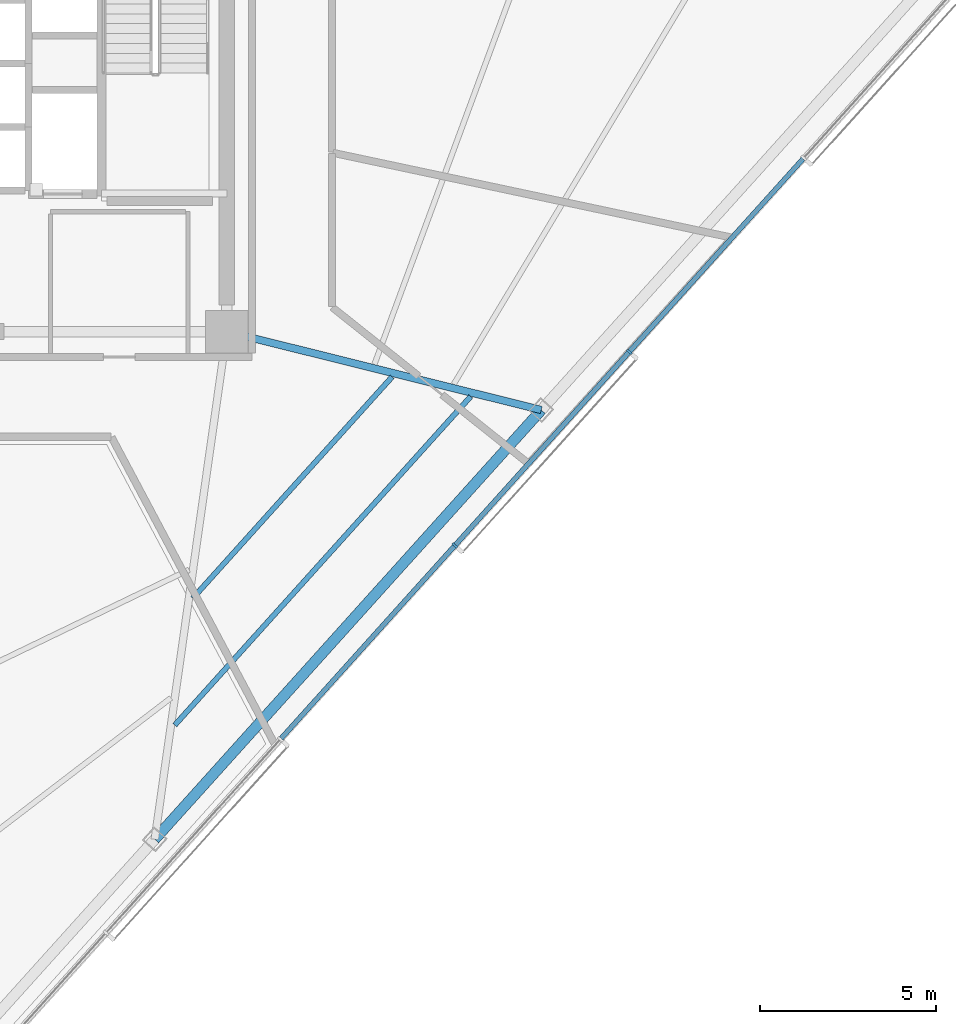
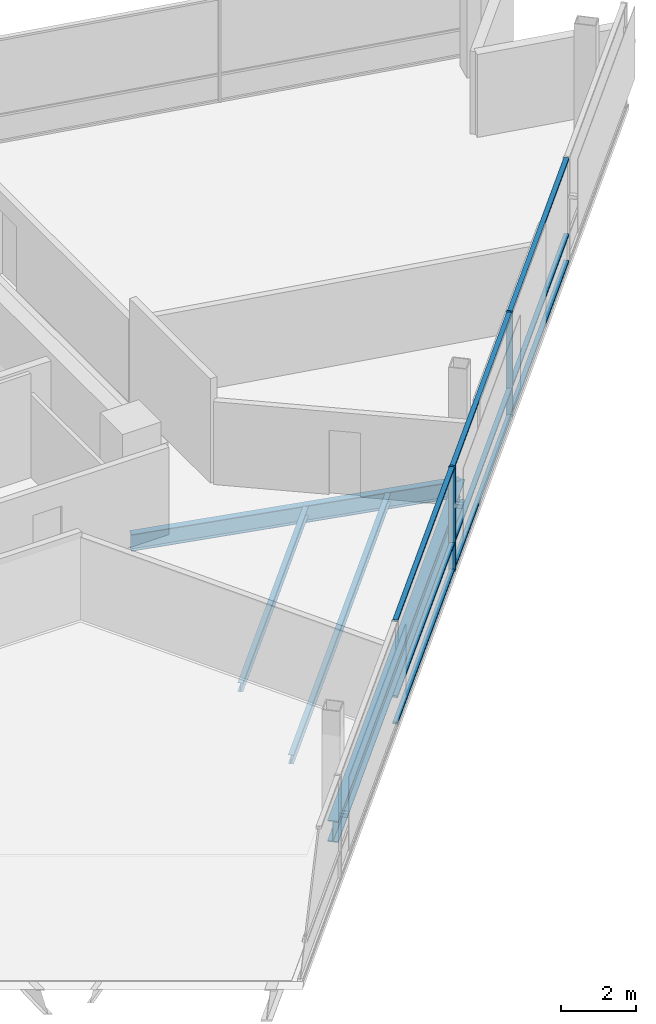
# One storey, part 4 of 17: 11 members, 4 beams, 1 element without a shape of its own.
"""IFC4 building model written with IfcOpenShell, lengths in metres."""

import ifcopenshell
import ifcopenshell.guid

model = None  # the IFC model being written
_history = None  # IfcOwnerHistory: only IFC2X3 demands one
_inside = {}  # id of a spatial element -> (the spatial element, [elements in it])
_under = {}  # id of a project, library or spatial element -> (it, [spatial elements below it])
_declared = {}  # id of a project -> (the project, [libraries it declares])
_typed = {}  # id of a type object -> (the type object, [elements of that type])
_made_of = {}  # id of a material, layer set ... -> (it, [elements and type objects made of it])


def new_model(schema):
    """Start an empty IFC model of exactly this schema.

    Asked for "IFC4X3", IfcOpenShell would pick the latest addendum, in which some entities
    have other attributes; the version numbers below select the first issue.
    IFC2X3 requires an IfcOwnerHistory on every rooted entity: one is made here for all.
    """
    global model, _history
    if schema == "IFC4X3":
        model = ifcopenshell.file(schema_version=(4, 3, 0, 0))
    else:
        model = ifcopenshell.file(schema=schema)
    _inside.clear()
    _under.clear()
    _declared.clear()
    _typed.clear()
    _made_of.clear()
    _history = None
    if model.schema == "IFC2X3":
        org = make("IfcOrganization", Name="unknown")
        user = make(
            "IfcPersonAndOrganization",
            ThePerson=make("IfcPerson", FamilyName="unknown"),
            TheOrganization=org,
        )
        app = make(
            "IfcApplication",
            ApplicationDeveloper=org,
            Version="unknown",
            ApplicationFullName="unknown",
            ApplicationIdentifier="unknown",
        )
        _history = make(
            "IfcOwnerHistory",
            OwningUser=user,
            OwningApplication=app,
            ChangeAction="ADDED",
            CreationDate=0,
        )
    return model


def make(cls, **values):
    """One entity of the class cls with the attributes given. An attribute that is None is left unset."""
    return model.create_entity(
        cls, **{name: value for name, value in values.items() if value is not None}
    )


def rooted(cls, **values):
    """An entity with a GlobalId (a new one), such as an element, a storey or a relation."""
    return make(cls, GlobalId=ifcopenshell.guid.new(), OwnerHistory=_history, **values)


def si_unit(unit_type, name, prefix=None):
    """IfcSIUnit, for example si_unit("LENGTHUNIT", "METRE", prefix="MILLI")."""
    return make("IfcSIUnit", UnitType=unit_type, Prefix=prefix, Name=name)


def assignment(units):
    """IfcUnitAssignment: the units of a project."""
    return None if units is None else make("IfcUnitAssignment", Units=units)


def point(xyz):
    """IfcCartesianPoint."""
    return None if xyz is None else make("IfcCartesianPoint", Coordinates=xyz)


def direction(xyz):
    """IfcDirection."""
    return None if xyz is None else make("IfcDirection", DirectionRatios=xyz)


def frame(location, z_axis=None, x_axis=None):
    """IfcAxis2Placement3D, a coordinate frame: its origin and axes. An axis left out is left unset."""
    return make(
        "IfcAxis2Placement3D",
        Location=point(location),
        Axis=direction(z_axis),
        RefDirection=direction(x_axis),
    )


def frame_2d(location, x_axis=None):
    """IfcAxis2Placement2D, a coordinate frame in the plane: its origin and x axis."""
    return make(
        "IfcAxis2Placement2D", Location=point(location), RefDirection=direction(x_axis)
    )


def origin():
    """The frame at (0, 0, 0) with its axes left unset."""
    return frame((0.0, 0.0, 0.0))


def origin_2d():
    """The frame at (0, 0) in the plane with its x axis left unset."""
    return frame_2d((0.0, 0.0))


def place(relative_to, where):
    """IfcLocalPlacement: puts the frame where relative to a parent placement (None: the world)."""
    return make(
        "IfcLocalPlacement", PlacementRelTo=relative_to, RelativePlacement=where
    )


def context(
    kind, dimensions, precision=None, world=None, true_north=None, identifier=None
):
    """IfcGeometricRepresentationContext, for example the 3D "Model" context."""
    return make(
        "IfcGeometricRepresentationContext",
        ContextIdentifier=identifier,
        ContextType=kind,
        CoordinateSpaceDimension=dimensions,
        Precision=precision,
        WorldCoordinateSystem=world,
        TrueNorth=true_north,
    )


def subcontext(parent, identifier, kind, view, scale=None):
    """IfcGeometricRepresentationSubContext, for example "Body" below "Model"."""
    return make(
        "IfcGeometricRepresentationSubContext",
        ContextIdentifier=identifier,
        ContextType=kind,
        ParentContext=parent,
        TargetScale=scale,
        TargetView=view,
    )


def project(units=None, contexts=None):
    """IfcProject with its units and contexts."""
    return rooted(
        "IfcProject",
        Name="project",
        RepresentationContexts=contexts,
        UnitsInContext=assignment(units),
    )


def spatial(cls, under=None, at=None, **own):
    """A site, building, storey or space (cls), placed at a placement, below another one or the project."""
    s = rooted(cls, ObjectPlacement=at, **own)
    if under is not None:
        _under.setdefault(under.id(), (under, []))[1].append(s)
    return s


def profile(cls, at=None, kind="AREA", **sizes):
    """A parametric profile (cls). Its sizes go by their IFC names, for example OverallWidth=200.0."""
    return make(cls, ProfileType=kind, Position=at, **sizes)


def rectangle(**sizes):
    """IfcRectangleProfileDef."""
    return profile("IfcRectangleProfileDef", **sizes)


def i_section(**sizes):
    """IfcIShapeProfileDef."""
    return profile("IfcIShapeProfileDef", **sizes)


def extrude(swept, where, along, depth):
    """IfcExtrudedAreaSolid: the profile swept, set in the frame where, extruded along a direction by depth."""
    return make(
        "IfcExtrudedAreaSolid",
        SweptArea=swept,
        Position=where,
        ExtrudedDirection=direction(along),
        Depth=depth,
    )


def shape(context_of_items, identifier, shape_type, items):
    """IfcShapeRepresentation: the items that make up one representation, for example the "Body"."""
    return make(
        "IfcShapeRepresentation",
        ContextOfItems=context_of_items,
        RepresentationIdentifier=identifier,
        RepresentationType=shape_type,
        Items=items,
    )


def material(Name=None, Category=None):
    """IfcMaterial."""
    return make("IfcMaterial", Name=Name, Category=Category)


def layer(
    of_material, thickness, ventilated=None, Name=None, Category=None, Priority=None
):
    """IfcMaterialLayer: one layer of a wall or slab, of a material (None: an air gap)."""
    return make(
        "IfcMaterialLayer",
        Material=of_material,
        LayerThickness=thickness,
        IsVentilated=ventilated,
        Name=Name,
        Category=Category,
        Priority=Priority,
    )


def layer_set(layers, Name=None):
    """IfcMaterialLayerSet."""
    return make("IfcMaterialLayerSet", MaterialLayers=layers, LayerSetName=Name)


def material_profile(
    of_material, cross_section, Name=None, Category=None, Priority=None
):
    """IfcMaterialProfile: a cross section and its material."""
    return make(
        "IfcMaterialProfile",
        Name=Name,
        Material=of_material,
        Profile=cross_section,
        Priority=Priority,
        Category=Category,
    )


def profile_set(profiles, Name=None, composite=None):
    """IfcMaterialProfileSet."""
    return make(
        "IfcMaterialProfileSet",
        Name=Name,
        MaterialProfiles=profiles,
        CompositeProfile=composite,
    )


def made_of(thing, what):
    """Note that an element or type object is made of a material, layer set ...; save() writes the relation."""
    if what is not None:
        _made_of.setdefault(what.id(), (what, []))[1].append(thing)
    return thing


def type_object(cls, material=None, **own):
    """A type object (cls), such as IfcWallType, which elements share."""
    return made_of(rooted(cls, **own), material)


def element(
    cls,
    number,
    at=None,
    inside=None,
    cuts=None,
    type_object=None,
    material=None,
    context=None,
    identifier="Body",
    shape_type=None,
    held_by="IfcProductDefinitionShape",
    body=None,
    shapes=None,
    **own,
):
    """One element of the class cls, such as IfcWall. Its Tag is "e" and its number.

    at: its placement. inside: the storey or other place that contains it. cuts: it is an
    opening in that element (IfcRelVoidsElement). A single representation is given by context,
    identifier, shape_type and body (its items); several are given by shapes. held_by: the class
    of the entity that holds the representations. save() writes the other relations.
    """
    e = rooted(cls, Tag="e%d" % number, ObjectPlacement=at, **own)
    if body is not None:
        shapes = [shape(context, identifier, shape_type, body)]
    if shapes is not None:
        e.Representation = make(held_by, Representations=shapes)
    if inside is not None:
        _inside.setdefault(inside.id(), (inside, []))[1].append(e)
    if cuts is not None:
        rooted(
            "IfcRelVoidsElement", RelatingBuildingElement=cuts, RelatedOpeningElement=e
        )
    if type_object is not None:
        _typed.setdefault(type_object.id(), (type_object, []))[1].append(e)
    return made_of(e, material)


def aggregate(whole, parts):
    """IfcRelAggregates: a whole, such as a stair, and the parts it consists of."""
    return rooted("IfcRelAggregates", RelatingObject=whole, RelatedObjects=parts)


def save(model, path):
    """Write the relations noted so far, then the file.

    IfcRelAggregates (storeys below a building ...), IfcRelContainedInSpatialStructure (elements
    in a storey), IfcRelDefinesByType, IfcRelAssociatesMaterial and IfcRelDeclares: one each for
    every whole, place, type object, material and project.
    """
    for whole, parts in _under.values():
        aggregate(whole, parts)
    for where, things in _inside.values():
        rooted(
            "IfcRelContainedInSpatialStructure",
            RelatedElements=things,
            RelatingStructure=where,
        )
    for kind, things in _typed.values():
        rooted("IfcRelDefinesByType", RelatedObjects=things, RelatingType=kind)
    for what, things in _made_of.values():
        rooted("IfcRelAssociatesMaterial", RelatedObjects=things, RelatingMaterial=what)
    for by, libraries in _declared.values():
        rooted("IfcRelDeclares", RelatingContext=by, RelatedDefinitions=libraries)
    model.write(path)


model = new_model("IFC4")

# Units and contexts
model_context = context("Model", 3, precision=1e-05, world=origin(), true_north=direction((0.0, 1.0)))
body_context = subcontext(model_context, "Body", "Model", "MODEL_VIEW")
ifc_project = project(units=[si_unit("LENGTHUNIT", "METRE"), si_unit("AREAUNIT", "SQUARE_METRE"), si_unit("VOLUMEUNIT", "CUBIC_METRE"), si_unit("PLANEANGLEUNIT", "RADIAN"), si_unit("MASSUNIT", "GRAM", prefix="KILO")], contexts=[model_context])

# Site, building, storey
site_placement = place(None, origin())
site = spatial("IfcSite", under=ifc_project, at=site_placement, CompositionType="ELEMENT")
building_placement = place(site_placement, origin())
building = spatial("IfcBuilding", under=site, at=building_placement, Name="Tharavind Bronze Gate", CompositionType="ELEMENT")
storey_placement = place(building_placement, frame((0.0, 0.0, 200.449951171875)))
storey = spatial("IfcBuildingStorey", under=building, at=storey_placement, Name="L51", CompositionType="ELEMENT", Elevation=200.449951171875)

# Curtain wall, members
ifc_material_1 = material(Name="Anodised Bronze Aluminium", Category="aluminium")
ifc_layer = layer(ifc_material_1, 0.219970703125)
ifc_layer_set = layer_set([ifc_layer], Name="Anodised Bronze Aluminium")
curtain_wall_type = type_object("IfcCurtainWallType", Name="UNITISED CURTAIN WALL MID OFFICE", PredefinedType="USERDEFINED", material=ifc_layer_set)
curtain_wall_placement = place(storey_placement, origin())
curtain_wall = element("IfcCurtainWall", 1, at=curtain_wall_placement, inside=storey, type_object=curtain_wall_type, Name="L51 unitised curtain wall mid office CW-L51-S2", ObjectType="UNITISED CURTAIN WALL", PredefinedType="USERDEFINED")
member_type_1 = type_object("IfcMemberType", Name="CURTAIN WALL BRONZE MULLION 65X180", PredefinedType="MULLION", material=ifc_material_1)
member_1_placement = place(storey_placement, frame((15.365966796875, -13.663818359375, 0.0), z_axis=(0.0, 0.0, 1.0), x_axis=(0.669130606359, 0.743144825477, 0.0)))
member_1 = element("IfcMember", 2, at=member_1_placement, type_object=member_type_1, Name="CW-L51-S2 mullion 5", PredefinedType="MULLION", context=body_context, shape_type="SweptSolid", body=[
    extrude(rectangle(XDim=0.06494140625, YDim=0.179931640625, at=origin_2d()), origin(), (0.0, 0.0, 1.0), 3.419921875),
])
member_2_placement = place(storey_placement, frame((20.310302734375, -8.17236328125, 0.0), z_axis=(0.0, 0.0, 1.0), x_axis=(0.669130606359, 0.743144825477, 0.0)))
member_2 = element("IfcMember", 3, at=member_2_placement, type_object=member_type_1, Name="CW-L51-S2 mullion 6", PredefinedType="MULLION", context=body_context, shape_type="SweptSolid", body=[
    extrude(rectangle(XDim=0.06494140625, YDim=0.179931640625, at=origin_2d()), origin(), (0.0, 0.0, 1.0), 3.419921875),
])
member_type_2 = type_object("IfcMemberType", Name="CURTAIN WALL BRONZE TRANSOM 65X140", PredefinedType="USERDEFINED", material=ifc_material_1)
member_3_placement = place(storey_placement, frame((12.8935546875, -16.409423828125, 0.0), z_axis=(0.0, 0.0, 1.0), x_axis=(0.669130606359, 0.743144825477, 0.0)))
member_3 = element("IfcMember", 4, at=member_3_placement, type_object=member_type_2, Name="CW-L51-S2 transom TB4", ObjectType="TRANSOM", PredefinedType="USERDEFINED", context=body_context, shape_type="SweptSolid", body=[
    extrude(rectangle(XDim=7.33642578125, YDim=0.139892578125, at=origin_2d()), origin(), (0.0, 0.0, 1.0), 0.06494140625),
])
member_4_placement = place(storey_placement, frame((12.8935546875, -16.409423828125, 0.86767578125), z_axis=(0.0, 0.0, 1.0), x_axis=(0.669130606359, 0.743144825477, 0.0)))
member_4 = element("IfcMember", 5, at=member_4_placement, type_object=member_type_2, Name="CW-L51-S2 transom TS4", ObjectType="TRANSOM", PredefinedType="USERDEFINED", context=body_context, shape_type="SweptSolid", body=[
    extrude(rectangle(XDim=7.33642578125, YDim=0.139892578125, at=origin_2d()), origin(), (0.0, 0.0, 1.0), 0.06494140625),
])
member_5_placement = place(storey_placement, frame((12.8935546875, -16.409423828125, 3.35498046875), z_axis=(0.0, 0.0, 1.0), x_axis=(0.669130606359, 0.743144825477, 0.0)))
member_5 = element("IfcMember", 6, at=member_5_placement, type_object=member_type_2, Name="CW-L51-S2 transom TT4", ObjectType="TRANSOM", PredefinedType="USERDEFINED", context=body_context, shape_type="SweptSolid", body=[
    extrude(rectangle(XDim=7.33642578125, YDim=0.139892578125, at=origin_2d()), origin(), (0.0, 0.0, 1.0), 0.06494140625),
])
member_6_placement = place(storey_placement, frame((17.838134765625, -10.91796875, 0.0), z_axis=(0.0, 0.0, 1.0), x_axis=(0.669130606359, 0.743144825477, 0.0)))
member_6 = element("IfcMember", 7, at=member_6_placement, type_object=member_type_2, Name="CW-L51-S2 transom TB5", ObjectType="TRANSOM", PredefinedType="USERDEFINED", context=body_context, shape_type="SweptSolid", body=[
    extrude(rectangle(XDim=7.33642578125, YDim=0.139892578125, at=origin_2d()), origin(), (0.0, 0.0, 1.0), 0.06494140625),
])
member_7_placement = place(storey_placement, frame((17.838134765625, -10.91796875, 0.86767578125), z_axis=(0.0, 0.0, 1.0), x_axis=(0.669130606359, 0.743144825477, 0.0)))
member_7 = element("IfcMember", 8, at=member_7_placement, type_object=member_type_2, Name="CW-L51-S2 transom TS5", ObjectType="TRANSOM", PredefinedType="USERDEFINED", context=body_context, shape_type="SweptSolid", body=[
    extrude(rectangle(XDim=7.33642578125, YDim=0.139892578125, at=origin_2d()), origin(), (0.0, 0.0, 1.0), 0.06494140625),
])
member_8_placement = place(storey_placement, frame((17.838134765625, -10.91796875, 3.35498046875), z_axis=(0.0, 0.0, 1.0), x_axis=(0.669130606359, 0.743144825477, 0.0)))
member_8 = element("IfcMember", 9, at=member_8_placement, type_object=member_type_2, Name="CW-L51-S2 transom TT5", ObjectType="TRANSOM", PredefinedType="USERDEFINED", context=body_context, shape_type="SweptSolid", body=[
    extrude(rectangle(XDim=7.33642578125, YDim=0.139892578125, at=origin_2d()), origin(), (0.0, 0.0, 1.0), 0.06494140625),
])
member_9_placement = place(storey_placement, frame((22.78271484375, -5.426513671875, 0.0), z_axis=(0.0, 0.0, 1.0), x_axis=(0.669130606359, 0.743144825477, 0.0)))
member_9 = element("IfcMember", 10, at=member_9_placement, type_object=member_type_2, Name="CW-L51-S2 transom TB6", ObjectType="TRANSOM", PredefinedType="USERDEFINED", context=body_context, shape_type="SweptSolid", body=[
    extrude(rectangle(XDim=7.33642578125, YDim=0.139892578125, at=origin_2d()), origin(), (0.0, 0.0, 1.0), 0.06494140625),
])
member_10_placement = place(storey_placement, frame((22.78271484375, -5.426513671875, 0.86767578125), z_axis=(0.0, 0.0, 1.0), x_axis=(0.669130606359, 0.743144825477, 0.0)))
member_10 = element("IfcMember", 11, at=member_10_placement, type_object=member_type_2, Name="CW-L51-S2 transom TS6", ObjectType="TRANSOM", PredefinedType="USERDEFINED", context=body_context, shape_type="SweptSolid", body=[
    extrude(rectangle(XDim=7.33642578125, YDim=0.139892578125, at=origin_2d()), origin(), (0.0, 0.0, 1.0), 0.06494140625),
])
member_11_placement = place(storey_placement, frame((22.78271484375, -5.426513671875, 3.35498046875), z_axis=(0.0, 0.0, 1.0), x_axis=(0.669130606359, 0.743144825477, 0.0)))
member_11 = element("IfcMember", 12, at=member_11_placement, type_object=member_type_2, Name="CW-L51-S2 transom TT6", ObjectType="TRANSOM", PredefinedType="USERDEFINED", context=body_context, shape_type="SweptSolid", body=[
    extrude(rectangle(XDim=7.33642578125, YDim=0.139892578125, at=origin_2d()), origin(), (0.0, 0.0, 1.0), 0.06494140625),
])
aggregate(curtain_wall, [member_1, member_2, member_3, member_4, member_5, member_6, member_7, member_8, member_9, member_10, member_11])

# Beams
ifc_material_2 = material(Name="Steel S355", Category="steel")
ifc_material_profile_1 = material_profile(ifc_material_2, i_section(OverallWidth=0.2099609375, OverallDepth=0.550048828125, WebThickness=0.010986328125, FlangeThickness=0.01708984375, at=origin_2d()), Name="IPE550")
ifc_profile_set_1 = profile_set([ifc_material_profile_1], Name="Steel S355")
beam_type_1 = type_object("IfcBeamType", Name="PRIMARY GIRDER IPE550", PredefinedType="USERDEFINED", material=ifc_profile_set_1)
beam_1_placement = place(storey_placement, frame((17.815185546875, -9.82275390625, -0.454833984375), z_axis=(-0.970300158772, 0.241904117136, 0.0), x_axis=(-0.241904117136, -0.970300158772, 0.0)))
element("IfcBeam", 13, at=beam_1_placement, inside=storey, type_object=beam_type_1, Name="L51 primary girder ipe550 BM-L51-RAD07", ObjectType="GIRDER", PredefinedType="USERDEFINED", context=body_context, shape_type="SweptSolid", body=[
    extrude(i_section(OverallWidth=0.2099609375, OverallDepth=0.550048828125, WebThickness=0.010986328125, FlangeThickness=0.01708984375, at=origin_2d()), origin(), (0.0, 0.0, 1.0), 9.188232421875),
])
ifc_material_profile_2 = material_profile(ifc_material_2, i_section(OverallWidth=0.300048828125, OverallDepth=0.699951171875, WebThickness=0.01708984375, FlangeThickness=0.031982421875, at=origin_2d()), Name="HE700B")
ifc_profile_set_2 = profile_set([ifc_material_profile_2], Name="Steel S355")
beam_type_2 = type_object("IfcBeamType", Name="RING GIRDER HE700B", PredefinedType="USERDEFINED", material=ifc_profile_set_2)
beam_2_placement = place(storey_placement, frame((6.857421875, -21.992431640625, -0.530029296875), z_axis=(0.669135213786, 0.743140676906, 0.0), x_axis=(-0.743140676906, 0.669135213786, 0.0)))
element("IfcBeam", 14, at=beam_2_placement, inside=storey, type_object=beam_type_2, Name="L51 ring girder he700b BM-L51-PRG06", ObjectType="GIRDER", PredefinedType="USERDEFINED", context=body_context, shape_type="SweptSolid", body=[
    extrude(i_section(OverallWidth=0.300048828125, OverallDepth=0.699951171875, WebThickness=0.01708984375, FlangeThickness=0.031982421875, at=origin_2d()), origin(), (0.0, 0.0, 1.0), 16.3759765625),
])
ifc_material_profile_3 = material_profile(ifc_material_2, i_section(OverallWidth=0.14990234375, OverallDepth=0.300048828125, WebThickness=0.007080078125, FlangeThickness=0.0107421875, at=origin_2d()), Name="IPE300")
ifc_profile_set_3 = profile_set([ifc_material_profile_3], Name="Steel S355")
beam_type_3 = type_object("IfcBeamType", Name="SECONDARY FLOOR JOIST IPE300", PredefinedType="JOIST", material=ifc_profile_set_3)
beam_3_placement = place(storey_placement, frame((7.935791015625, -15.1572265625, -0.329833984375), z_axis=(0.669138786469, 0.743137459991, 0.0), x_axis=(-0.743137459991, 0.669138786469, 0.0)))
element("IfcBeam", 15, at=beam_3_placement, inside=storey, type_object=beam_type_3, Name="L51 secondary floor joist ipe300 BM-L51-JSTA06", PredefinedType="JOIST", context=body_context, shape_type="SweptSolid", body=[
    extrude(i_section(OverallWidth=0.14990234375, OverallDepth=0.300048828125, WebThickness=0.007080078125, FlangeThickness=0.0107421875, at=origin_2d()), origin(), (0.0, 0.0, 1.0), 8.446044921875),
])
beam_4_placement = place(storey_placement, frame((7.425048828125, -18.75537109375, -0.329833984375), z_axis=(0.669137887746, 0.743138269222, 0.0), x_axis=(-0.743138269222, 0.669137887746, 0.0)))
element("IfcBeam", 16, at=beam_4_placement, inside=storey, type_object=beam_type_3, Name="L51 secondary floor joist ipe300 BM-L51-JSTB06", PredefinedType="JOIST", context=body_context, shape_type="SweptSolid", body=[
    extrude(i_section(OverallWidth=0.14990234375, OverallDepth=0.300048828125, WebThickness=0.007080078125, FlangeThickness=0.0107421875, at=origin_2d()), origin(), (0.0, 0.0, 1.0), 12.540283203125),
])

save(model, "model.ifc")
